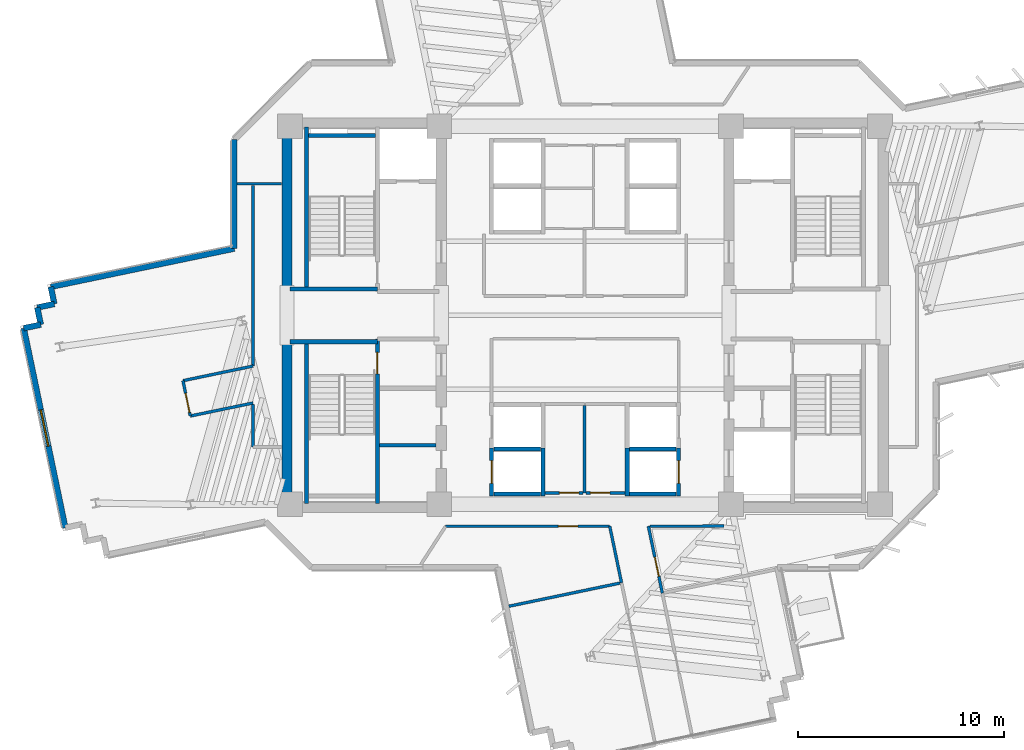
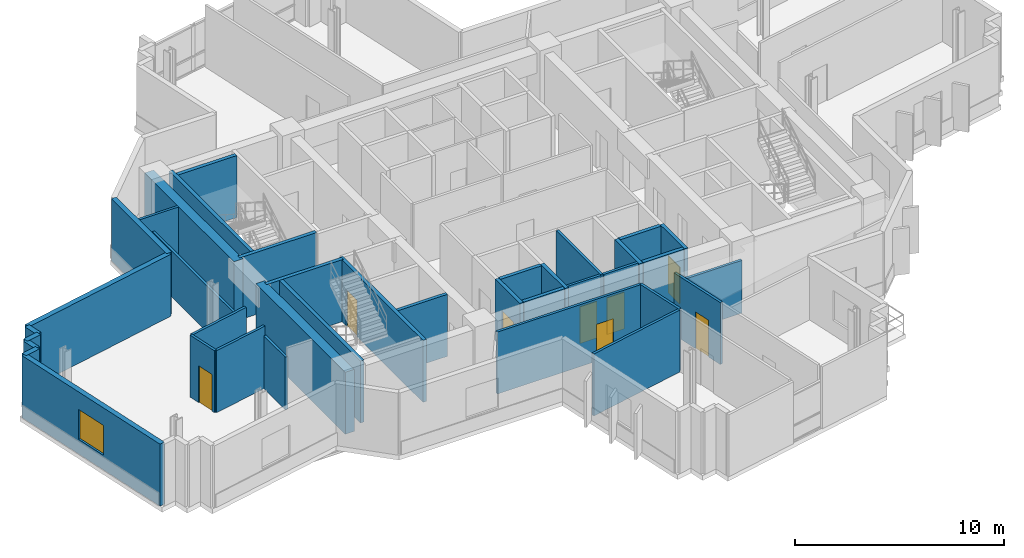
# One storey, part 7 of 14: 38 walls, 8 doors, 1 window, 9 openings.
"""IFC4 building model written with IfcOpenShell, lengths in metres."""

from ifc_helpers import new_model, si_unit, direction, frame, frame_2d, origin, place, context, subcontext, project, spatial, rectangle, extrude, source, transform, mapped, material, layer, layer_set, type_object, element, fill, save


model = new_model("IFC4")

# Units and contexts
model_context = context("Model", 3, precision=1e-05, world=origin(), true_north=direction((0.0, 1.0)))
body_context = subcontext(model_context, "Body", "Model", "MODEL_VIEW")
ifc_project = project(units=[si_unit("LENGTHUNIT", "METRE"), si_unit("AREAUNIT", "SQUARE_METRE"), si_unit("VOLUMEUNIT", "CUBIC_METRE"), si_unit("PLANEANGLEUNIT", "RADIAN"), si_unit("MASSUNIT", "GRAM", prefix="KILO")], contexts=[model_context])

# Site, building, storey
site_placement = place(None, origin())
site = spatial("IfcSite", under=ifc_project, at=site_placement, CompositionType="ELEMENT")
building_placement = place(site_placement, origin())
building = spatial("IfcBuilding", under=site, at=building_placement, Name="Zahravan Cultural Tower", CompositionType="ELEMENT")
storey_placement = place(building_placement, frame((0.0, 0.0, 159.0)))
storey = spatial("IfcBuildingStorey", under=building, at=storey_placement, Name="L36", CompositionType="ELEMENT", Elevation=159.0)

# Wall, opening, window
ifc_material_1 = material(Name="Precast concrete C40/50", Category="concrete")
ifc_layer_1 = layer(ifc_material_1, 0.280029296875)
ifc_layer_set_1 = layer_set([ifc_layer_1], Name="Precast concrete C40/50")
wall_type_1 = type_object("IfcWallType", Name="EW-TC-280", PredefinedType="SOLIDWALL", material=ifc_layer_set_1)
wall_1_placement = place(storey_placement, frame((10.71826171875, 16.660888671875, 0.0), z_axis=(0.0, 0.0, 1.0), x_axis=(-0.204150812873, 0.978939449406, 0.0)))
wall_1 = element("IfcWall", 1, at=wall_1_placement, inside=storey, type_object=wall_type_1, Name="L36 Exterior Masonry Frame Wall 32", PredefinedType="SOLIDWALL", context=body_context, shape_type="SweptSolid", body=[
    extrude(rectangle(XDim=9.919921875, YDim=0.280029296875, at=frame_2d((4.9599609375, 0.0))), origin(), (0.0, 0.0, 1.0), 3.6201171875),
])
opening_1_placement = place(wall_1_placement, frame((4.06005859375, 0.0, 0.85009765625)))
opening_1 = element("IfcOpeningElement", 2, at=opening_1_placement, cuts=wall_1, Name="Opening WN-02", PredefinedType="OPENING", context=body_context, shape_type="SweptSolid", body=[
    extrude(rectangle(XDim=1.800048828125, YDim=1.75, at=frame_2d((0.89990234375, 0.875))), frame((0.0, 0.14990234375, 0.0), z_axis=(0.0, -1.0, 0.0), x_axis=(1.0, 0.0, 0.0)), (0.0, 0.0, 1.0), 0.300048828125),
])
ifc_material_2 = material(Name="Low-E solar-control double glazing", Category="glass")
window_type = type_object("IfcWindowType", Name="WN-REC-1800X1750", PartitioningType="DOUBLE_PANEL_VERTICAL", PredefinedType="WINDOW", material=ifc_material_2)
shared_shape_1 = source(origin(), body_context, "Body", "SweptSolid", [
    extrude(rectangle(XDim=1.800048828125, YDim=1.75, at=frame_2d((0.89990234375, 0.875))), frame((0.0, 0.030029296875, 0.0), z_axis=(0.0, -1.0, 0.0), x_axis=(1.0, 0.0, 0.0)), (0.0, 0.0, 1.0), 0.06005859375),
])
window_placement = place(opening_1_placement, origin())
window = element("IfcWindow", 3, at=window_placement, inside=storey, type_object=window_type, Name="L36 Recessed Solar Window 08", OverallHeight=1.75, OverallWidth=1.800048828125, PartitioningType="DOUBLE_PANEL_VERTICAL", PredefinedType="WINDOW", context=body_context, shape_type="MappedRepresentation", body=[
    mapped(shared_shape_1, transform((0.0, 0.0, 0.0), x_axis=(1.0, 0.0, 0.0), y_axis=(0.0, 1.0, 0.0), z_axis=(0.0, 0.0, 1.0), scale=1.0)),
])
fill(opening_1, window)

# Wall, opening, door
ifc_material_3 = material(Name="Gypsum plasterboard partition")
ifc_layer_2 = layer(ifc_material_3, 0.139892578125)
ifc_layer_set_2 = layer_set([ifc_layer_2], Name="Gypsum plasterboard partition")
wall_type_2 = type_object("IfcWallType", Name="W-PART-140", PredefinedType="PARTITIONING", material=ifc_layer_set_2)
wall_2_placement = place(storey_placement, frame((35.89501953125, 18.360107421875, 0.0), z_axis=(0.0, 0.0, 1.0), x_axis=(-1.0, 0.0, 0.0)))
wall_2 = element("IfcWall", 4, at=wall_2_placement, inside=storey, type_object=wall_type_2, Name="L36 Interior Wall 065", PredefinedType="PARTITIONING", context=body_context, shape_type="SweptSolid", body=[
    extrude(rectangle(XDim=1.840087890625, YDim=0.139892578125, at=frame_2d((0.919921875, 0.0))), origin(), (0.0, 0.0, 1.0), 3.6201171875),
])
opening_2_placement = place(wall_2_placement, frame((0.19580078125, 0.0, 0.0)))
opening_2 = element("IfcOpeningElement", 5, at=opening_2_placement, cuts=wall_2, Name="Opening D-L36-18", PredefinedType="OPENING", context=body_context, shape_type="SweptSolid", body=[
    extrude(rectangle(XDim=0.949951171875, YDim=2.14990234375, at=frame_2d((0.47509765625, 1.074951171875))), frame((0.0, 0.079833984375, 0.0), z_axis=(0.0, -1.0, 0.0), x_axis=(1.0, 0.0, 0.0)), (0.0, 0.0, 1.0), 0.159912109375),
])
ifc_material_4 = material(Name="Anodised bronze-aluminium mullion", Category="aluminium")
door_type_1 = type_object("IfcDoorType", Name="DR-ROOM-950", OperationType="NOTDEFINED", PredefinedType="DOOR", material=ifc_material_4)
shared_shape_2 = source(origin(), body_context, "Body", "SweptSolid", [
    extrude(rectangle(XDim=0.949951171875, YDim=2.14990234375, at=frame_2d((0.47509765625, 1.074951171875))), frame((0.0, 0.02490234375, 0.0), z_axis=(0.0, -1.0, 0.0), x_axis=(1.0, 0.0, 0.0)), (0.0, 0.0, 1.0), 0.050048828125),
])
door_1_placement = place(opening_2_placement, origin())
door_1 = element("IfcDoor", 6, at=door_1_placement, inside=storey, type_object=door_type_1, Name="L36 Door D-L36-18", OperationType="SINGLE_SWING_LEFT", OverallHeight=2.14990234375, OverallWidth=0.949951171875, PredefinedType="DOOR", context=body_context, shape_type="MappedRepresentation", body=[
    mapped(shared_shape_2, transform((0.0, 0.0, 0.0), x_axis=(1.0, 0.0, 0.0), y_axis=(0.0, 1.0, 0.0), z_axis=(0.0, 0.0, 1.0), scale=1.0)),
])
fill(opening_2, door_1)

wall_3_placement = place(storey_placement, frame((37.945068359375, 18.360107421875, 0.0), z_axis=(0.0, 0.0, 1.0), x_axis=(-1.0, 0.0, 0.0)))
wall_3 = element("IfcWall", 7, at=wall_3_placement, inside=storey, type_object=wall_type_2, Name="L36 Interior Wall 067", PredefinedType="PARTITIONING", context=body_context, shape_type="SweptSolid", body=[
    extrude(rectangle(XDim=1.900146484375, YDim=0.139892578125, at=frame_2d((0.9501953125, 0.0))), origin(), (0.0, 0.0, 1.0), 3.6201171875),
])
opening_3_placement = place(wall_3_placement, frame((0.740966796875, 0.0, 0.0)))
opening_3 = element("IfcOpeningElement", 8, at=opening_3_placement, cuts=wall_3, Name="Opening D-L36-19", PredefinedType="OPENING", context=body_context, shape_type="SweptSolid", body=[
    extrude(rectangle(XDim=0.949951171875, YDim=2.14990234375, at=frame_2d((0.47509765625, 1.074951171875))), frame((0.0, 0.079833984375, 0.0), z_axis=(0.0, -1.0, 0.0), x_axis=(1.0, 0.0, 0.0)), (0.0, 0.0, 1.0), 0.159912109375),
])
door_2_placement = place(opening_3_placement, origin())
door_2 = element("IfcDoor", 9, at=door_2_placement, inside=storey, type_object=door_type_1, Name="L36 Door D-L36-19", OperationType="SINGLE_SWING_RIGHT", OverallHeight=2.14990234375, OverallWidth=0.949951171875, PredefinedType="DOOR", context=body_context, shape_type="MappedRepresentation", body=[
    mapped(shared_shape_2, transform((0.0, 0.0, 0.0), x_axis=(1.0, 0.0, 0.0), y_axis=(0.0, 1.0, 0.0), z_axis=(0.0, 0.0, 1.0), scale=1.0)),
])
fill(opening_3, door_2)

wall_4_placement = place(storey_placement, frame((29.219482421875, 16.739990234375, 0.0), z_axis=(0.0, 0.0, 1.0), x_axis=(1.0, 0.0, 0.0)))
wall_4 = element("IfcWall", 10, at=wall_4_placement, inside=storey, type_object=wall_type_2, Name="L36 Interior Wall 073", PredefinedType="PARTITIONING", context=body_context, shape_type="SweptSolid", body=[
    extrude(rectangle(XDim=7.98046875, YDim=0.139892578125, at=frame_2d((3.990234375, 0.0))), origin(), (0.0, 0.0, 1.0), 3.6201171875),
])
opening_4_placement = place(wall_4_placement, frame((5.483642578125, 0.0, 0.0)))
opening_4 = element("IfcOpeningElement", 11, at=opening_4_placement, cuts=wall_4, Name="Opening D-L36-25", PredefinedType="OPENING", context=body_context, shape_type="SweptSolid", body=[
    extrude(rectangle(XDim=0.949951171875, YDim=2.14990234375, at=frame_2d((0.47509765625, 1.074951171875))), frame((0.0, 0.079833984375, 0.0), z_axis=(0.0, -1.0, 0.0), x_axis=(1.0, 0.0, 0.0)), (0.0, 0.0, 1.0), 0.159912109375),
])
door_3_placement = place(opening_4_placement, origin())
door_3 = element("IfcDoor", 12, at=door_3_placement, inside=storey, type_object=door_type_1, Name="L36 Door D-L36-25", OperationType="SINGLE_SWING_RIGHT", OverallHeight=2.14990234375, OverallWidth=0.949951171875, PredefinedType="DOOR", context=body_context, shape_type="MappedRepresentation", body=[
    mapped(shared_shape_2, transform((0.0, 0.0, 0.0), x_axis=(1.0, 0.0, 0.0), y_axis=(0.0, 1.0, 0.0), z_axis=(0.0, 0.0, 1.0), scale=1.0)),
])
fill(opening_4, door_3)

wall_5_placement = place(storey_placement, frame((39.7587890625, 13.482666015625, 0.0), z_axis=(0.0, 0.0, 1.0), x_axis=(-0.204124193585, 0.97894500029, 0.0)))
wall_5 = element("IfcWall", 13, at=wall_5_placement, inside=storey, type_object=wall_type_2, Name="L36 Interior Wall 080", PredefinedType="PARTITIONING", context=body_context, shape_type="SweptSolid", body=[
    extrude(rectangle(XDim=3.327392578125, YDim=0.139892578125, at=frame_2d((1.66357421875, 0.0))), origin(), (0.0, 0.0, 1.0), 3.6201171875),
])
opening_5_placement = place(wall_5_placement, frame((0.83203125, 0.0, 0.0)))
opening_5 = element("IfcOpeningElement", 14, at=opening_5_placement, cuts=wall_5, Name="Opening D-L36-27", PredefinedType="OPENING", context=body_context, shape_type="SweptSolid", body=[
    extrude(rectangle(XDim=0.949951171875, YDim=2.14990234375, at=frame_2d((0.47509765625, 1.074951171875))), frame((0.0, 0.079833984375, 0.0), z_axis=(0.0, -1.0, 0.0), x_axis=(1.0, 0.0, 0.0)), (0.0, 0.0, 1.0), 0.159912109375),
])
door_4_placement = place(opening_5_placement, origin())
door_4 = element("IfcDoor", 15, at=door_4_placement, inside=storey, type_object=door_type_1, Name="L36 Door D-L36-27", OperationType="SINGLE_SWING_RIGHT", OverallHeight=2.14990234375, OverallWidth=0.949951171875, PredefinedType="DOOR", context=body_context, shape_type="MappedRepresentation", body=[
    mapped(shared_shape_2, transform((0.0, 0.0, 0.0), x_axis=(1.0, 0.0, 0.0), y_axis=(0.0, 1.0, 0.0), z_axis=(0.0, 0.0, 1.0), scale=1.0)),
])
fill(opening_5, door_4)

wall_6_placement = place(storey_placement, frame((16.43994140625, 23.818359375, 0.0), z_axis=(0.0, 0.0, 1.0), x_axis=(0.202959786933, -0.979187073489, 0.0)))
wall_6 = element("IfcWall", 16, at=wall_6_placement, inside=storey, type_object=wall_type_2, Name="L36 Interior Wall 099", PredefinedType="PARTITIONING", context=body_context, shape_type="SweptSolid", body=[
    extrude(rectangle(XDim=1.755126953125, YDim=0.139892578125, at=frame_2d((0.87744140625, 0.0))), origin(), (0.0, 0.0, 1.0), 3.6201171875),
])
opening_6_placement = place(wall_6_placement, frame((0.6279296875, 0.0, 0.0)))
opening_6 = element("IfcOpeningElement", 17, at=opening_6_placement, cuts=wall_6, Name="Opening D-L36-24", PredefinedType="OPENING", context=body_context, shape_type="SweptSolid", body=[
    extrude(rectangle(XDim=0.949951171875, YDim=2.14990234375, at=frame_2d((0.47509765625, 1.074951171875))), frame((0.0, 0.079833984375, 0.0), z_axis=(0.0, -1.0, 0.0), x_axis=(1.0, 0.0, 0.0)), (0.0, 0.0, 1.0), 0.159912109375),
])
door_5_placement = place(opening_6_placement, origin())
door_5 = element("IfcDoor", 18, at=door_5_placement, inside=storey, type_object=door_type_1, Name="L36 Door D-L36-24", OperationType="SINGLE_SWING_LEFT", OverallHeight=2.14990234375, OverallWidth=0.949951171875, PredefinedType="DOOR", context=body_context, shape_type="MappedRepresentation", body=[
    mapped(shared_shape_2, transform((0.0, 0.0, 0.0), x_axis=(1.0, 0.0, 0.0), y_axis=(0.0, 1.0, 0.0), z_axis=(0.0, 0.0, 1.0), scale=1.0)),
])
fill(opening_6, door_5)

ifc_material_5 = material(Name="Concrete C45/55", Category="concrete")
ifc_layer_3 = layer(ifc_material_5, 0.199951171875)
ifc_layer_set_3 = layer_set([ifc_layer_3], Name="Concrete C45/55")
wall_type_3 = type_object("IfcWallType", Name="W-SHAFT-200", PredefinedType="SOLIDWALL", material=ifc_layer_set_3)
wall_7_placement = place(storey_placement, frame((25.89990234375, 17.85009765625, 0.0), z_axis=(0.0, 0.0, 1.0), x_axis=(0.0, 1.0, 0.0)))
wall_7 = element("IfcWall", 19, at=wall_7_placement, inside=storey, type_object=wall_type_3, Name="L36 Interior Wall 005", PredefinedType="SOLIDWALL", context=body_context, shape_type="SweptSolid", body=[
    extrude(rectangle(XDim=8.0, YDim=0.199951171875, at=frame_2d((4.0, 0.0))), origin(), (0.0, 0.0, 1.0), 3.6201171875),
])
opening_7_placement = place(wall_7_placement, frame((6.300048828125, 0.0, 0.0)))
opening_7 = element("IfcOpeningElement", 20, at=opening_7_placement, cuts=wall_7, Name="Opening D-L36-04", PredefinedType="OPENING", context=body_context, shape_type="SweptSolid", body=[
    extrude(rectangle(XDim=1.050048828125, YDim=2.14990234375, at=frame_2d((0.52490234375, 1.074951171875))), frame((0.0, 0.10986328125, 0.0), z_axis=(0.0, -1.0, 0.0), x_axis=(1.0, 0.0, 0.0)), (0.0, 0.0, 1.0), 0.219970703125),
])
ifc_material_6 = material(Name="Steel ASTM A572 Grade 50", Category="steel")
door_type_2 = type_object("IfcDoorType", Name="DR-STAIR-1050", OperationType="NOTDEFINED", PredefinedType="DOOR", material=ifc_material_6)
shared_shape_3 = source(origin(), body_context, "Body", "SweptSolid", [
    extrude(rectangle(XDim=1.050048828125, YDim=2.14990234375, at=frame_2d((0.52490234375, 1.074951171875))), frame((0.0, 0.02490234375, 0.0), z_axis=(0.0, -1.0, 0.0), x_axis=(1.0, 0.0, 0.0)), (0.0, 0.0, 1.0), 0.050048828125),
])
door_6_placement = place(opening_7_placement, origin())
door_6 = element("IfcDoor", 21, at=door_6_placement, inside=storey, type_object=door_type_2, Name="L36 Door D-L36-04", OperationType="SINGLE_SWING_LEFT", OverallHeight=2.14990234375, OverallWidth=1.050048828125, PredefinedType="DOOR", context=body_context, shape_type="MappedRepresentation", body=[
    mapped(shared_shape_3, transform((0.0, 0.0, 0.0), x_axis=(1.0, 0.0, 0.0), y_axis=(0.0, 1.0, 0.0), z_axis=(0.0, 0.0, 1.0), scale=1.0)),
])
fill(opening_7, door_6)

wall_8_placement = place(storey_placement, frame((31.449951171875, 18.199951171875, 0.0), z_axis=(0.0, 0.0, 1.0), x_axis=(0.0, 1.0, 0.0)))
wall_8 = element("IfcWall", 22, at=wall_8_placement, inside=storey, type_object=wall_type_3, Name="L36 Interior Wall 046", PredefinedType="SOLIDWALL", context=body_context, shape_type="SweptSolid", body=[
    extrude(rectangle(XDim=2.35009765625, YDim=0.199951171875, at=frame_2d((1.175048828125, 0.0))), origin(), (0.0, 0.0, 1.0), 3.6201171875),
])
opening_8_placement = place(wall_8_placement, frame((0.625, 0.0, 0.0)))
opening_8 = element("IfcOpeningElement", 23, at=opening_8_placement, cuts=wall_8, Name="Opening LD-L36-05", PredefinedType="OPENING", context=body_context, shape_type="SweptSolid", body=[
    extrude(rectangle(XDim=1.10009765625, YDim=2.14990234375, at=frame_2d((0.550048828125, 1.074951171875))), frame((0.0, 0.10986328125, 0.0), z_axis=(0.0, -1.0, 0.0), x_axis=(1.0, 0.0, 0.0)), (0.0, 0.0, 1.0), 0.219970703125),
])
door_type_3 = type_object("IfcDoorType", Name="DR-LIFT-1100", OperationType="DOUBLE_DOOR_SLIDING", PredefinedType="DOOR", material=ifc_material_6)
shared_shape_4 = source(origin(), body_context, "Body", "SweptSolid", [
    extrude(rectangle(XDim=1.10009765625, YDim=2.14990234375, at=frame_2d((0.550048828125, 1.074951171875))), frame((0.0, 0.02490234375, 0.0), z_axis=(0.0, -1.0, 0.0), x_axis=(1.0, 0.0, 0.0)), (0.0, 0.0, 1.0), 0.050048828125),
])
door_7_placement = place(opening_8_placement, origin())
door_7 = element("IfcDoor", 24, at=door_7_placement, inside=storey, type_object=door_type_3, Name="L36 Door LD-L36-05", OperationType="DOUBLE_DOOR_SLIDING", OverallHeight=2.14990234375, OverallWidth=1.10009765625, PredefinedType="DOOR", context=body_context, shape_type="MappedRepresentation", body=[
    mapped(shared_shape_4, transform((0.0, 0.0, 0.0), x_axis=(1.0, 0.0, 0.0), y_axis=(0.0, 1.0, 0.0), z_axis=(0.0, 0.0, 1.0), scale=1.0)),
])
fill(opening_8, door_7)

wall_9_placement = place(storey_placement, frame((40.550048828125, 18.199951171875, 0.0), z_axis=(0.0, 0.0, 1.0), x_axis=(0.0, 1.0, 0.0)))
wall_9 = element("IfcWall", 25, at=wall_9_placement, inside=storey, type_object=wall_type_3, Name="L36 Interior Wall 054", PredefinedType="SOLIDWALL", context=body_context, shape_type="SweptSolid", body=[
    extrude(rectangle(XDim=2.35009765625, YDim=0.199951171875, at=frame_2d((1.175048828125, 0.0))), origin(), (0.0, 0.0, 1.0), 3.6201171875),
])
opening_9_placement = place(wall_9_placement, frame((0.625, 0.0, 0.0)))
opening_9 = element("IfcOpeningElement", 26, at=opening_9_placement, cuts=wall_9, Name="Opening LD-L36-07", PredefinedType="OPENING", context=body_context, shape_type="SweptSolid", body=[
    extrude(rectangle(XDim=1.10009765625, YDim=2.14990234375, at=frame_2d((0.550048828125, 1.074951171875))), frame((0.0, 0.10986328125, 0.0), z_axis=(0.0, -1.0, 0.0), x_axis=(1.0, 0.0, 0.0)), (0.0, 0.0, 1.0), 0.219970703125),
])
door_8_placement = place(opening_9_placement, origin())
door_8 = element("IfcDoor", 27, at=door_8_placement, inside=storey, type_object=door_type_3, Name="L36 Door LD-L36-07", OperationType="DOUBLE_DOOR_SLIDING", OverallHeight=2.14990234375, OverallWidth=1.10009765625, PredefinedType="DOOR", context=body_context, shape_type="MappedRepresentation", body=[
    mapped(shared_shape_4, transform((0.0, 0.0, 0.0), x_axis=(1.0, 0.0, 0.0), y_axis=(0.0, 1.0, 0.0), z_axis=(0.0, 0.0, 1.0), scale=1.0)),
])
fill(opening_9, door_8)

# Walls
ifc_material_7 = material(Name="Concrete C60/75", Category="concrete")
ifc_layer_4 = layer(ifc_material_7, 0.5)
ifc_layer_set_4 = layer_set([ifc_layer_4], Name="Concrete C60/75")
wall_type_4 = type_object("IfcWallType", Name="CW-SHEAR-500-C60", PredefinedType="SHEAR", material=ifc_layer_set_4)
shared_shape_5 = source(origin(), body_context, "Body", "SweptSolid", [
    extrude(rectangle(XDim=8.550048828125, YDim=0.5, at=frame_2d((4.27490234375, 0.0))), origin(), (0.0, 0.0, 1.0), 3.6201171875),
])
for number, where, z_axis, x_axis, name in (
    (28, (21.5, 17.39990234375, 0.0), (0.0, 0.0, 1.0), (0.0, 1.0, 0.0), "L36 Core Shear Wall CW-W-WS-L36"),
    (29, (21.5, 28.050048828125, 0.0), (0.0, 0.0, 1.0), (0.0, 1.0, 0.0), "L36 Core Shear Wall CW-W-WN-L36"),
):
    element("IfcWall", number, at=place(storey_placement, frame(where, z_axis=z_axis, x_axis=x_axis)), inside=storey, type_object=wall_type_4, Name=name, PredefinedType="SHEAR", context=body_context, shape_type="MappedRepresentation", body=[
        mapped(shared_shape_5, transform((0.0, 0.0, 0.0), x_axis=(1.0, 0.0, 0.0), y_axis=(0.0, 1.0, 0.0), z_axis=(0.0, 0.0, 1.0), scale=1.0)),
    ])
shared_shape_6 = source(origin(), body_context, "Body", "SweptSolid", [
    extrude(rectangle(XDim=0.85009765625, YDim=0.280029296875, at=frame_2d((0.425048828125, 0.0))), origin(), (0.0, 0.0, 1.0), 3.6201171875),
])
wall_10_placement = place(storey_placement, frame((10.18359375, 27.551025390625, 0.0), z_axis=(0.0, 0.0, 1.0), x_axis=(-0.203896913579, 0.97899236393, 0.0)))
element("IfcWall", 30, at=wall_10_placement, inside=storey, type_object=wall_type_1, Name="L36 Exterior Masonry Frame Wall 36", PredefinedType="SOLIDWALL", context=body_context, shape_type="MappedRepresentation", body=[
    mapped(shared_shape_6, transform((0.0, 0.0, 0.0), x_axis=(1.0, 0.0, 0.0), y_axis=(0.0, 1.0, 0.0), z_axis=(0.0, 0.0, 1.0), scale=1.0)),
])
shared_shape_7 = source(origin(), body_context, "Body", "SweptSolid", [
    extrude(rectangle(XDim=0.849853515625, YDim=0.280029296875, at=frame_2d((0.4248046875, 0.0))), origin(), (0.0, 0.0, 1.0), 3.6201171875),
])
for number, where, z_axis, x_axis, name in (
    (31, (8.693115234375, 26.371826171875, 0.0), (0.0, 0.0, 1.0), (0.978923028084, 0.20422954019, 0.0), "L36 Exterior Masonry Frame Wall 33"),
    (32, (9.525146484375, 26.54541015625, 0.0), (0.0, 0.0, 1.0), (-0.20422954019, 0.978923028084, 0.0), "L36 Exterior Masonry Frame Wall 34"),
    (33, (9.3515625, 27.37744140625, 0.0), (0.0, 0.0, 1.0), (0.978923028084, 0.20422954019, 0.0), "L36 Exterior Masonry Frame Wall 35"),
):
    element("IfcWall", number, at=place(storey_placement, frame(where, z_axis=z_axis, x_axis=x_axis)), inside=storey, type_object=wall_type_1, Name=name, PredefinedType="SOLIDWALL", context=body_context, shape_type="MappedRepresentation", body=[
        mapped(shared_shape_7, transform((0.0, 0.0, 0.0), x_axis=(1.0, 0.0, 0.0), y_axis=(0.0, 1.0, 0.0), z_axis=(0.0, 0.0, 1.0), scale=1.0)),
    ])
shared_shape_8 = source(origin(), body_context, "Body", "SweptSolid", [
    extrude(rectangle(XDim=9.121826171875, YDim=0.280029296875, at=frame_2d((4.56103515625, 0.0))), origin(), (0.0, 0.0, 1.0), 3.6201171875),
])
wall_11_placement = place(storey_placement, frame((10.01025390625, 28.38330078125, 0.0), z_axis=(0.0, 0.0, 1.0), x_axis=(0.978937646314, 0.204159458828, 0.0)))
element("IfcWall", 34, at=wall_11_placement, inside=storey, type_object=wall_type_1, Name="L36 Exterior Masonry Frame Wall 37", PredefinedType="SOLIDWALL", context=body_context, shape_type="MappedRepresentation", body=[
    mapped(shared_shape_8, transform((0.0, 0.0, 0.0), x_axis=(1.0, 0.0, 0.0), y_axis=(0.0, 1.0, 0.0), z_axis=(0.0, 0.0, 1.0), scale=1.0)),
])
shared_shape_9 = source(origin(), body_context, "Body", "SweptSolid", [
    extrude(rectangle(XDim=5.29638671875, YDim=0.280029296875, at=frame_2d((2.648193359375, 0.0))), origin(), (0.0, 0.0, 1.0), 3.6201171875),
])
wall_12_placement = place(storey_placement, frame((18.93994140625, 30.24560546875, 0.0), z_axis=(0.0, 0.0, 1.0), x_axis=(0.0, 1.0, 0.0)))
element("IfcWall", 35, at=wall_12_placement, inside=storey, type_object=wall_type_1, Name="L36 Exterior Masonry Frame Wall 38", PredefinedType="SOLIDWALL", context=body_context, shape_type="MappedRepresentation", body=[
    mapped(shared_shape_9, transform((0.0, 0.0, 0.0), x_axis=(1.0, 0.0, 0.0), y_axis=(0.0, 1.0, 0.0), z_axis=(0.0, 0.0, 1.0), scale=1.0)),
])
shared_shape_10 = source(origin(), body_context, "Body", "SweptSolid", [
    extrude(rectangle(XDim=7.869873046875, YDim=0.199951171875, at=frame_2d((3.93505859375, 0.0))), origin(), (0.0, 0.0, 1.0), 3.6201171875),
])
for number, where, z_axis, x_axis, name in (
    (36, (22.449951171875, 17.85009765625, 0.0), (0.0, 0.0, 1.0), (0.0, 1.0, 0.0), "L36 Interior Wall 001"),
    (37, (22.449951171875, 28.280029296875, 0.0), (0.0, 0.0, 1.0), (0.0, 1.0, 0.0), "L36 Interior Wall 002"),
):
    element("IfcWall", number, at=place(storey_placement, frame(where, z_axis=z_axis, x_axis=x_axis)), inside=storey, type_object=wall_type_3, Name=name, PredefinedType="SOLIDWALL", context=body_context, shape_type="MappedRepresentation", body=[
        mapped(shared_shape_10, transform((0.0, 0.0, 0.0), x_axis=(1.0, 0.0, 0.0), y_axis=(0.0, 1.0, 0.0), z_axis=(0.0, 0.0, 1.0), scale=1.0)),
    ])
shared_shape_11 = source(origin(), body_context, "Body", "SweptSolid", [
    extrude(rectangle(XDim=4.25, YDim=0.199951171875, at=frame_2d((2.125, 0.0))), origin(), (0.0, 0.0, 1.0), 3.6201171875),
])
for number, where, z_axis, x_axis, name in (
    (38, (21.64990234375, 25.715087890625, 0.0), (0.0, 0.0, 1.0), (1.0, 0.0, 0.0), "L36 Interior Wall 009"),
    (39, (21.64990234375, 28.284912109375, 0.0), (0.0, 0.0, 1.0), (1.0, 0.0, 0.0), "L36 Interior Wall 011"),
):
    element("IfcWall", number, at=place(storey_placement, frame(where, z_axis=z_axis, x_axis=x_axis)), inside=storey, type_object=wall_type_3, Name=name, PredefinedType="SOLIDWALL", context=body_context, shape_type="MappedRepresentation", body=[
        mapped(shared_shape_11, transform((0.0, 0.0, 0.0), x_axis=(1.0, 0.0, 0.0), y_axis=(0.0, 1.0, 0.0), z_axis=(0.0, 0.0, 1.0), scale=1.0)),
    ])
shared_shape_12 = source(origin(), body_context, "Body", "SweptSolid", [
    extrude(rectangle(XDim=3.25, YDim=0.199951171875, at=frame_2d((1.625, 0.0))), origin(), (0.0, 0.0, 1.0), 3.6201171875),
])
wall_13_placement = place(storey_placement, frame((22.550048828125, 35.75, 0.0), z_axis=(0.0, 0.0, 1.0), x_axis=(1.0, 0.0, 0.0)))
element("IfcWall", 40, at=wall_13_placement, inside=storey, type_object=wall_type_3, Name="L36 Interior Wall 017", PredefinedType="SOLIDWALL", context=body_context, shape_type="MappedRepresentation", body=[
    mapped(shared_shape_12, transform((0.0, 0.0, 0.0), x_axis=(1.0, 0.0, 0.0), y_axis=(0.0, 1.0, 0.0), z_axis=(0.0, 0.0, 1.0), scale=1.0)),
])
ifc_layer_5 = layer(ifc_material_3, 0.179931640625)
ifc_layer_set_5 = layer_set([ifc_layer_5], Name="Gypsum plasterboard partition")
wall_type_5 = type_object("IfcWallType", Name="W-COMP-180", PredefinedType="PARTITIONING", material=ifc_layer_set_5)
shared_shape_13 = source(origin(), body_context, "Body", "SweptSolid", [
    extrude(rectangle(XDim=2.75, YDim=0.179931640625, at=frame_2d((1.375, 0.0))), origin(), (0.0, 0.0, 1.0), 3.6201171875),
])
wall_14_placement = place(storey_placement, frame((26.0, 20.679931640625, 0.0), z_axis=(0.0, 0.0, 1.0), x_axis=(1.0, 0.0, 0.0)))
element("IfcWall", 41, at=wall_14_placement, inside=storey, type_object=wall_type_5, Name="L36 Interior Wall 026", PredefinedType="PARTITIONING", context=body_context, shape_type="MappedRepresentation", body=[
    mapped(shared_shape_13, transform((0.0, 0.0, 0.0), x_axis=(1.0, 0.0, 0.0), y_axis=(0.0, 1.0, 0.0), z_axis=(0.0, 0.0, 1.0), scale=1.0)),
])
shared_shape_14 = source(origin(), body_context, "Body", "SweptSolid", [
    extrude(rectangle(XDim=2.260009765625, YDim=0.199951171875, at=frame_2d((1.1298828125, 0.0))), origin(), (0.0, 0.0, 1.0), 3.6201171875),
])
for number, where, z_axis, x_axis, name in (
    (42, (31.570068359375, 20.5, 0.0), (0.0, 0.0, 1.0), (1.0, 0.0, 0.0), "L36 Interior Wall 044"),
    (43, (31.570068359375, 18.300048828125, 0.0), (0.0, 0.0, 1.0), (1.0, 0.0, 0.0), "L36 Interior Wall 048"),
    (44, (38.169921875, 20.5, 0.0), (0.0, 0.0, 1.0), (1.0, 0.0, 0.0), "L36 Interior Wall 051"),
    (45, (38.169921875, 18.300048828125, 0.0), (0.0, 0.0, 1.0), (1.0, 0.0, 0.0), "L36 Interior Wall 055"),
):
    element("IfcWall", number, at=place(storey_placement, frame(where, z_axis=z_axis, x_axis=x_axis)), inside=storey, type_object=wall_type_3, Name=name, PredefinedType="SOLIDWALL", context=body_context, shape_type="MappedRepresentation", body=[
        mapped(shared_shape_14, transform((0.0, 0.0, 0.0), x_axis=(1.0, 0.0, 0.0), y_axis=(0.0, 1.0, 0.0), z_axis=(0.0, 0.0, 1.0), scale=1.0)),
    ])
shared_shape_15 = source(origin(), body_context, "Body", "SweptSolid", [
    extrude(rectangle(XDim=2.35009765625, YDim=0.199951171875, at=frame_2d((1.175048828125, 0.0))), origin(), (0.0, 0.0, 1.0), 3.6201171875),
])
for number, where, z_axis, x_axis, name in (
    (46, (33.949951171875, 18.199951171875, 0.0), (0.0, 0.0, 1.0), (0.0, 1.0, 0.0), "L36 Interior Wall 047"),
    (47, (38.050048828125, 18.199951171875, 0.0), (0.0, 0.0, 1.0), (0.0, 1.0, 0.0), "L36 Interior Wall 053"),
):
    element("IfcWall", number, at=place(storey_placement, frame(where, z_axis=z_axis, x_axis=x_axis)), inside=storey, type_object=wall_type_3, Name=name, PredefinedType="SOLIDWALL", context=body_context, shape_type="MappedRepresentation", body=[
        mapped(shared_shape_15, transform((0.0, 0.0, 0.0), x_axis=(1.0, 0.0, 0.0), y_axis=(0.0, 1.0, 0.0), z_axis=(0.0, 0.0, 1.0), scale=1.0)),
    ])
shared_shape_16 = source(origin(), body_context, "Body", "SweptSolid", [
    extrude(rectangle(XDim=4.244873046875, YDim=0.139892578125, at=frame_2d((2.12255859375, 0.0))), origin(), (0.0, 0.0, 1.0), 3.6201171875),
])
wall_15_placement = place(storey_placement, frame((35.969970703125, 22.60498046875, 0.0), z_axis=(0.0, 0.0, 1.0), x_axis=(0.0, -1.0, 0.0)))
element("IfcWall", 48, at=wall_15_placement, inside=storey, type_object=wall_type_2, Name="L36 Interior Wall 064", PredefinedType="PARTITIONING", context=body_context, shape_type="MappedRepresentation", body=[
    mapped(shared_shape_16, transform((0.0, 0.0, 0.0), x_axis=(1.0, 0.0, 0.0), y_axis=(0.0, 1.0, 0.0), z_axis=(0.0, 0.0, 1.0), scale=1.0)),
])
shared_shape_17 = source(origin(), body_context, "Body", "SweptSolid", [
    extrude(rectangle(XDim=5.52001953125, YDim=0.139892578125, at=frame_2d((2.760009765625, 0.0))), origin(), (0.0, 0.0, 1.0), 3.6201171875),
])
wall_16_placement = place(storey_placement, frame((37.700439453125, 13.972900390625, 0.0), z_axis=(0.0, 0.0, 1.0), x_axis=(-0.978929612498, -0.204197976909, 0.0)))
element("IfcWall", 49, at=wall_16_placement, inside=storey, type_object=wall_type_2, Name="L36 Interior Wall 075", PredefinedType="PARTITIONING", context=body_context, shape_type="MappedRepresentation", body=[
    mapped(shared_shape_17, transform((0.0, 0.0, 0.0), x_axis=(1.0, 0.0, 0.0), y_axis=(0.0, 1.0, 0.0), z_axis=(0.0, 0.0, 1.0), scale=1.0)),
])
shared_shape_18 = source(origin(), body_context, "Body", "SweptSolid", [
    extrude(rectangle(XDim=2.81103515625, YDim=0.139892578125, at=frame_2d((1.405517578125, 0.0))), origin(), (0.0, 0.0, 1.0), 3.6201171875),
])
wall_17_placement = place(storey_placement, frame((37.199951171875, 16.739990234375, 0.0), z_axis=(0.0, 0.0, 1.0), x_axis=(0.204092977776, -0.978951508719, 0.0)))
element("IfcWall", 50, at=wall_17_placement, inside=storey, type_object=wall_type_2, Name="L36 Interior Wall 074", PredefinedType="PARTITIONING", context=body_context, shape_type="MappedRepresentation", body=[
    mapped(shared_shape_18, transform((0.0, 0.0, 0.0), x_axis=(1.0, 0.0, 0.0), y_axis=(0.0, 1.0, 0.0), z_axis=(0.0, 0.0, 1.0), scale=1.0)),
])
shared_shape_19 = source(origin(), body_context, "Body", "SweptSolid", [
    extrude(rectangle(XDim=3.590576171875, YDim=0.139892578125, at=frame_2d((1.79541015625, 0.0))), origin(), (0.0, 0.0, 1.0), 3.0791015625),
])
wall_18_placement = place(storey_placement, frame((39.156005859375, 16.739990234375, 0.0), z_axis=(0.0, 0.0, 1.0), x_axis=(0.999999942209, 0.000339974142, 0.0)))
element("IfcWall", 51, at=wall_18_placement, inside=storey, type_object=wall_type_2, Name="L36 Interior Wall 081", PredefinedType="PARTITIONING", context=body_context, shape_type="MappedRepresentation", body=[
    mapped(shared_shape_19, transform((0.0, 0.0, 0.0), x_axis=(1.0, 0.0, 0.0), y_axis=(0.0, 1.0, 0.0), z_axis=(0.0, 0.0, 1.0), scale=1.0)),
])
shared_shape_20 = source(origin(), body_context, "Body", "SweptSolid", [
    extrude(rectangle(XDim=3.118896484375, YDim=0.139892578125, at=frame_2d((1.5595703125, 0.0))), origin(), (0.0, 0.0, 1.0), 3.6201171875),
])
wall_19_placement = place(storey_placement, frame((16.796142578125, 22.099853515625, 0.0), z_axis=(0.0, 0.0, 1.0), x_axis=(0.979183767092, 0.202975738114, 0.0)))
element("IfcWall", 52, at=wall_19_placement, inside=storey, type_object=wall_type_2, Name="L36 Interior Wall 100", PredefinedType="PARTITIONING", context=body_context, shape_type="MappedRepresentation", body=[
    mapped(shared_shape_20, transform((0.0, 0.0, 0.0), x_axis=(1.0, 0.0, 0.0), y_axis=(0.0, 1.0, 0.0), z_axis=(0.0, 0.0, 1.0), scale=1.0)),
])
shared_shape_21 = source(origin(), body_context, "Body", "SweptSolid", [
    extrude(rectangle(XDim=2.05517578125, YDim=0.139892578125, at=frame_2d((1.027587890625, 0.0))), origin(), (0.0, 0.0, 1.0), 3.0791015625),
])
wall_20_placement = place(storey_placement, frame((19.85009765625, 22.656494140625, 0.0), z_axis=(0.0, 0.0, 1.0), x_axis=(0.001069136951, -0.999999428473, 0.0)))
element("IfcWall", 53, at=wall_20_placement, inside=storey, type_object=wall_type_2, Name="L36 Interior Wall 101", PredefinedType="PARTITIONING", context=body_context, shape_type="MappedRepresentation", body=[
    mapped(shared_shape_21, transform((0.0, 0.0, 0.0), x_axis=(1.0, 0.0, 0.0), y_axis=(0.0, 1.0, 0.0), z_axis=(0.0, 0.0, 1.0), scale=1.0)),
])
shared_shape_22 = source(origin(), body_context, "Body", "SweptSolid", [
    extrude(rectangle(XDim=2.1650390625, YDim=0.139892578125, at=frame_2d((1.08251953125, 0.0))), origin(), (0.0, 0.0, 1.0), 3.6201171875),
])
wall_21_placement = place(storey_placement, frame((21.2451171875, 33.39990234375, 0.0), z_axis=(0.0, 0.0, 1.0), x_axis=(-1.0, 0.0, 0.0)))
element("IfcWall", 54, at=wall_21_placement, inside=storey, type_object=wall_type_2, Name="L36 Interior Wall 103", PredefinedType="PARTITIONING", context=body_context, shape_type="MappedRepresentation", body=[
    mapped(shared_shape_22, transform((0.0, 0.0, 0.0), x_axis=(1.0, 0.0, 0.0), y_axis=(0.0, 1.0, 0.0), z_axis=(0.0, 0.0, 1.0), scale=1.0)),
])
shared_shape_23 = source(origin(), body_context, "Body", "SweptSolid", [
    extrude(rectangle(XDim=8.7939453125, YDim=0.139892578125, at=frame_2d((4.39697265625, 0.0))), origin(), (0.0, 0.0, 1.0), 2.693115234375),
])
wall_22_placement = place(storey_placement, frame((19.850341796875, 33.324951171875, 0.0), z_axis=(0.0, 0.0, 1.0), x_axis=(-2.7762354e-05, -0.999999999615, 0.0)))
element("IfcWall", 55, at=wall_22_placement, inside=storey, type_object=wall_type_2, Name="L36 Interior Wall 104", PredefinedType="PARTITIONING", context=body_context, shape_type="MappedRepresentation", body=[
    mapped(shared_shape_23, transform((0.0, 0.0, 0.0), x_axis=(1.0, 0.0, 0.0), y_axis=(0.0, 1.0, 0.0), z_axis=(0.0, 0.0, 1.0), scale=1.0)),
])
shared_shape_24 = source(origin(), body_context, "Body", "SweptSolid", [
    extrude(rectangle(XDim=3.4736328125, YDim=0.139892578125, at=frame_2d((1.73681640625, 0.0))), origin(), (0.0, 0.0, 1.0), 3.6201171875),
])
wall_23_placement = place(storey_placement, frame((19.849853515625, 24.531005859375, 0.0), z_axis=(0.0, 0.0, 1.0), x_axis=(-0.978846306479, -0.204596941061, 0.0)))
element("IfcWall", 56, at=wall_23_placement, inside=storey, type_object=wall_type_2, Name="L36 Interior Wall 105", PredefinedType="PARTITIONING", context=body_context, shape_type="MappedRepresentation", body=[
    mapped(shared_shape_24, transform((0.0, 0.0, 0.0), x_axis=(1.0, 0.0, 0.0), y_axis=(0.0, 1.0, 0.0), z_axis=(0.0, 0.0, 1.0), scale=1.0)),
])

save(model, "model.ifc")
